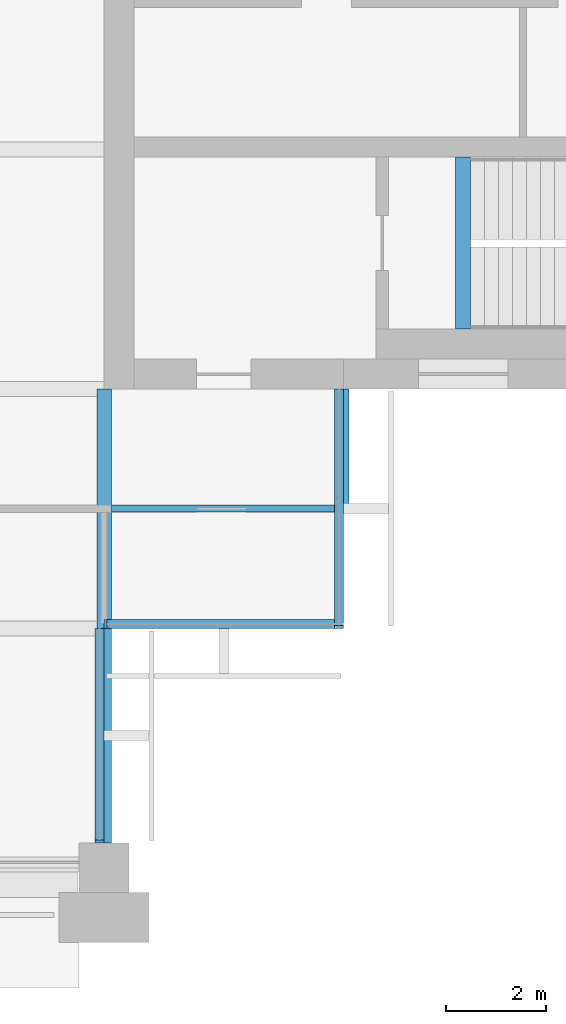
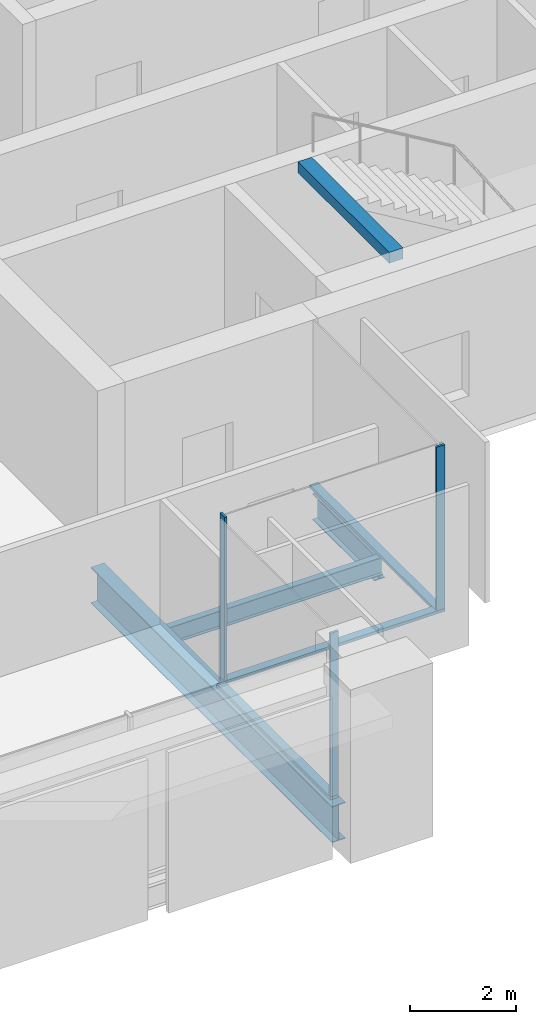
# One storey, part 4 of 13: 6 members, 4 beams, 3 elements without a shape of their own.
"""IFC4 building model written with IfcOpenShell, lengths in metres."""

from ifc_helpers import new_model, si_unit, direction, frame, origin, origin_2d, place, context, subcontext, project, spatial, rectangle, i_section, extrude, material, material_profile, profile_set, type_object, element, aggregate, save


model = new_model("IFC4")

# Units and contexts
model_context = context("Model", 3, precision=1e-05, world=origin(), true_north=direction((0.0, 1.0)))
body_context = subcontext(model_context, "Body", "Model", "MODEL_VIEW")
ifc_project = project(units=[si_unit("LENGTHUNIT", "METRE"), si_unit("AREAUNIT", "SQUARE_METRE"), si_unit("VOLUMEUNIT", "CUBIC_METRE"), si_unit("PLANEANGLEUNIT", "RADIAN"), si_unit("MASSUNIT", "GRAM", prefix="KILO")], contexts=[model_context])

# Site, building, storey
site_placement = place(None, origin())
site = spatial("IfcSite", under=ifc_project, at=site_placement, CompositionType="ELEMENT")
building_placement = place(site_placement, origin())
building = spatial("IfcBuilding", under=site, at=building_placement, Name="Baori Bourse Tower", CompositionType="ELEMENT")
storey_placement = place(building_placement, frame((0.0, 0.0, 314.300048828125)))
storey = spatial("IfcBuildingStorey", under=building, at=storey_placement, Name="L69", CompositionType="ELEMENT", Elevation=314.300048828125)

# Curtain wall, member
ifc_material_1 = material(Name="Pale anodised aluminium", Category="aluminium")
curtain_wall_type = type_object("IfcCurtainWallType", Name="CW2 Curtain wall", PredefinedType="NOTDEFINED", material=ifc_material_1)
curtain_wall_1_placement = place(storey_placement, origin())
curtain_wall_1 = element("IfcCurtainWall", 1, at=curtain_wall_1_placement, inside=storey, type_object=curtain_wall_type, Name="Curtain wall CW2 L69 16", PredefinedType="NOTDEFINED")
ifc_material_2 = material(Name="Pale anodised aluminium", Category="aluminium")
ifc_material_profile_1 = material_profile(ifc_material_2, rectangle(XDim=0.179931640625, YDim=0.054931640625, at=origin_2d()), Name="Mullion 55x180")
ifc_profile_set_1 = profile_set([ifc_material_profile_1], Name="Pale anodised aluminium")
member_type_1 = type_object("IfcMemberType", Name="CW2 Curtain wall mullion", PredefinedType="MULLION", material=ifc_profile_set_1)
member_1_placement = place(storey_placement, frame((38.31005859375, 0.527587890625, 0.070068359375), z_axis=(0.0, 0.0, 1.0), x_axis=(-1.0, 0.0, 0.0)))
member_1 = element("IfcMember", 2, at=member_1_placement, type_object=member_type_1, Name="Curtain wall CW2 mullion", PredefinedType="MULLION", context=body_context, shape_type="SweptSolid", body=[
    extrude(rectangle(XDim=0.179931640625, YDim=0.054931640625, at=origin_2d()), origin(), (0.0, 0.0, 1.0), 3.769775390625),
])

curtain_wall_2_placement = place(storey_placement, origin())
curtain_wall_2 = element("IfcCurtainWall", 3, at=curtain_wall_2_placement, inside=storey, type_object=curtain_wall_type, Name="Curtain wall CW2 L69 17", PredefinedType="NOTDEFINED")
member_2_placement = place(storey_placement, frame((38.427490234375, 4.889892578125, 0.070068359375), z_axis=(0.0, 0.0, 1.0), x_axis=(0.0, 1.0, 0.0)))
member_2 = element("IfcMember", 4, at=member_2_placement, type_object=member_type_1, Name="Curtain wall CW2 mullion", PredefinedType="MULLION", context=body_context, shape_type="SweptSolid", body=[
    extrude(rectangle(XDim=0.179931640625, YDim=0.054931640625, at=origin_2d()), origin(), (0.0, 0.0, 1.0), 3.769775390625),
])

curtain_wall_3_placement = place(storey_placement, origin())
curtain_wall_3 = element("IfcCurtainWall", 5, at=curtain_wall_3_placement, inside=storey, type_object=curtain_wall_type, Name="Curtain wall CW2 L69 18", PredefinedType="NOTDEFINED")
member_3_placement = place(storey_placement, frame((43.110107421875, 4.827392578125, 0.070068359375), z_axis=(0.0, 0.0, 1.0), x_axis=(-1.0, 0.0, 0.0)))
member_3 = element("IfcMember", 6, at=member_3_placement, type_object=member_type_1, Name="Curtain wall CW2 mullion", PredefinedType="MULLION", context=body_context, shape_type="SweptSolid", body=[
    extrude(rectangle(XDim=0.179931640625, YDim=0.054931640625, at=origin_2d()), origin(), (0.0, 0.0, 1.0), 3.769775390625),
])

# Member
ifc_material_3 = material(Name="Pale anodised aluminium", Category="aluminium")
ifc_material_profile_2 = material_profile(ifc_material_3, rectangle(XDim=0.179931640625, YDim=0.070068359375, at=origin_2d()), Name="Transom 70x180")
ifc_profile_set_2 = profile_set([ifc_material_profile_2], Name="Pale anodised aluminium")
member_type_2 = type_object("IfcMemberType", Name="CW2 Curtain wall transom", PredefinedType="USERDEFINED", material=ifc_profile_set_2)
member_4_placement = place(storey_placement, frame((38.31005859375, 0.5, 0.034912109375), z_axis=(0.0, 1.0, 0.0), x_axis=(-1.0, 0.0, 0.0)))
member_4 = element("IfcMember", 7, at=member_4_placement, type_object=member_type_2, Name="Curtain wall CW2 sill rail", ObjectType="TRANSOM", PredefinedType="USERDEFINED", context=body_context, shape_type="SweptSolid", body=[
    extrude(rectangle(XDim=0.179931640625, YDim=0.070068359375, at=origin_2d()), origin(), (0.0, 0.0, 1.0), 4.300048828125),
])

aggregate(curtain_wall_1, [member_4, member_1])

member_5_placement = place(storey_placement, frame((38.39990234375, 4.889892578125, 0.034912109375), z_axis=(1.0, 0.0, 0.0), x_axis=(0.0, 1.0, 0.0)))
member_5 = element("IfcMember", 8, at=member_5_placement, type_object=member_type_2, Name="Curtain wall CW2 sill rail", ObjectType="TRANSOM", PredefinedType="USERDEFINED", context=body_context, shape_type="SweptSolid", body=[
    extrude(rectangle(XDim=0.179931640625, YDim=0.070068359375, at=origin_2d()), origin(), (0.0, 0.0, 1.0), 4.800048828125),
])

aggregate(curtain_wall_2, [member_5, member_2])

member_6_placement = place(storey_placement, frame((43.110107421875, 4.800048828125, 0.034912109375), z_axis=(0.0, 1.0, 0.0), x_axis=(-1.0, 0.0, 0.0)))
member_6 = element("IfcMember", 9, at=member_6_placement, type_object=member_type_2, Name="Curtain wall CW2 sill rail", ObjectType="TRANSOM", PredefinedType="USERDEFINED", context=body_context, shape_type="SweptSolid", body=[
    extrude(rectangle(XDim=0.179931640625, YDim=0.070068359375, at=origin_2d()), origin(), (0.0, 0.0, 1.0), 4.800048828125),
])

aggregate(curtain_wall_3, [member_6, member_3])

# Beams
ifc_material_4 = material(Name="Steel A992 Gr 50", Category="steel")
ifc_material_profile_3 = material_profile(ifc_material_4, i_section(OverallWidth=0.227783203125, OverallDepth=0.60205078125, WebThickness=0.010498046875, FlangeThickness=0.014892578125, at=origin_2d()), Name="W24x68")
ifc_profile_set_3 = profile_set([ifc_material_profile_3], Name="Steel A992 Gr 50")
beam_type_1 = type_object("IfcBeamType", Name="Core bracket W24x68", PredefinedType="BEAM", material=ifc_profile_set_3)
beam_1_placement = place(storey_placement, frame((43.199951171875, 7.270263671875, -0.4609375), z_axis=(0.0, 1.0, 0.0), x_axis=(-1.0, 0.0, 0.0)))
element("IfcBeam", 10, at=beam_1_placement, inside=storey, type_object=beam_type_1, Name="Core bracket L69", PredefinedType="BEAM", context=body_context, shape_type="SweptSolid", body=[
    extrude(i_section(OverallWidth=0.227783203125, OverallDepth=0.60205078125, WebThickness=0.010498046875, FlangeThickness=0.014892578125, at=origin_2d()), origin(), (0.0, 0.0, 1.0), 2.329833984375),
])
ifc_material_5 = material(Name="Steel A992 Gr 50", Category="steel")
ifc_material_profile_4 = material_profile(ifc_material_5, i_section(OverallWidth=0.2919921875, OverallDepth=0.835693359375, WebThickness=0.013916015625, FlangeThickness=0.018798828125, at=origin_2d()), Name="W33x118")
ifc_profile_set_4 = profile_set([ifc_material_profile_4], Name="Steel A992 Gr 50")
beam_type_2 = type_object("IfcBeamType", Name="Girder W33x118", PredefinedType="BEAM", material=ifc_profile_set_4)
beam_2_placement = place(storey_placement, frame((38.39990234375, 0.5, -0.577880859375), z_axis=(0.0, 1.0, 0.0), x_axis=(-1.0, 0.0, 0.0)))
element("IfcBeam", 11, at=beam_2_placement, inside=storey, type_object=beam_type_2, Name="Girder L69", PredefinedType="BEAM", context=body_context, shape_type="SweptSolid", body=[
    extrude(i_section(OverallWidth=0.2919921875, OverallDepth=0.835693359375, WebThickness=0.013916015625, FlangeThickness=0.018798828125, at=origin_2d()), origin(), (0.0, 0.0, 1.0), 9.10009765625),
])
ifc_material_6 = material(Name="Concrete f'c 50 MPa", Category="concrete")
ifc_material_profile_5 = material_profile(ifc_material_6, rectangle(XDim=0.300048828125, YDim=0.25, at=origin_2d()), Name="RC 300x250")
ifc_profile_set_5 = profile_set([ifc_material_profile_5], Name="Concrete f'c 50 MPa")
beam_type_3 = type_object("IfcBeamType", Name="Stair nib beam RC 300x250", PredefinedType="BEAM", material=ifc_profile_set_5)
beam_3_placement = place(storey_placement, frame((45.60009765625, 10.800048828125, 3.71484375), z_axis=(0.0, 1.0, 0.0), x_axis=(-1.0, 0.0, 0.0)))
element("IfcBeam", 12, at=beam_3_placement, inside=storey, type_object=beam_type_3, Name="Stair EA nib beam L70", PredefinedType="BEAM", context=body_context, shape_type="SweptSolid", body=[
    extrude(rectangle(XDim=0.300048828125, YDim=0.25, at=origin_2d()), origin(), (0.0, 0.0, 1.0), 3.449951171875),
])
ifc_material_7 = material(Name="Steel A992 Gr 50", Category="steel")
ifc_material_profile_6 = material_profile(ifc_material_7, i_section(OverallWidth=0.140380859375, OverallDepth=0.40380859375, WebThickness=0.007080078125, FlangeThickness=0.01123046875, at=origin_2d()), Name="W16x31")
ifc_profile_set_6 = profile_set([ifc_material_profile_6], Name="Steel A992 Gr 50")
beam_type_4 = type_object("IfcBeamType", Name="Trimmer beam W16x31", PredefinedType="BEAM", material=ifc_profile_set_6)
beam_4_placement = place(storey_placement, frame((38.546142578125, 7.199951171875, -0.362060546875), z_axis=(1.0, 0.0, 0.0), x_axis=(0.0, 1.0, 0.0)))
element("IfcBeam", 13, at=beam_4_placement, inside=storey, type_object=beam_type_4, Name="Trimmer beam L69", PredefinedType="BEAM", context=body_context, shape_type="SweptSolid", body=[
    extrude(i_section(OverallWidth=0.140380859375, OverallDepth=0.40380859375, WebThickness=0.007080078125, FlangeThickness=0.01123046875, at=origin_2d()), origin(), (0.0, 0.0, 1.0), 4.65380859375),
])

save(model, "model.ifc")
